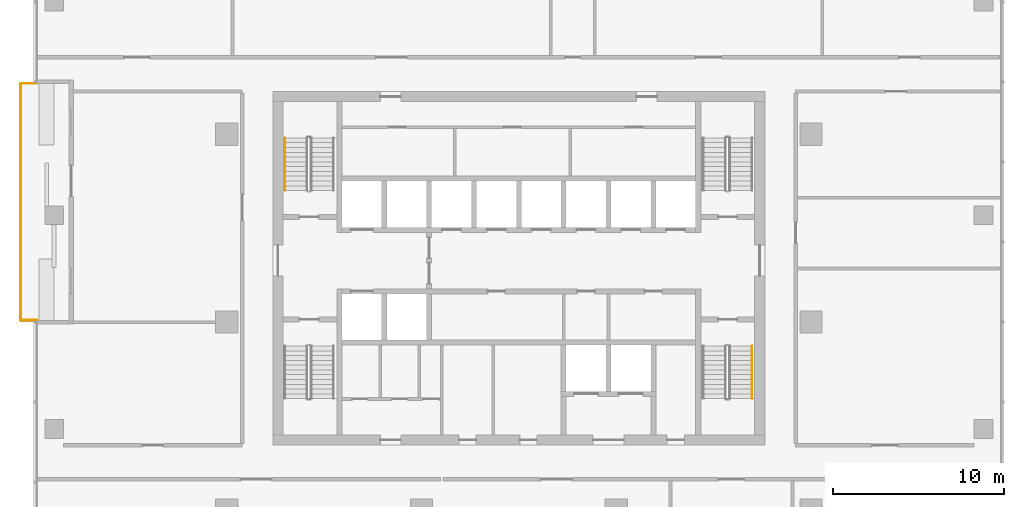
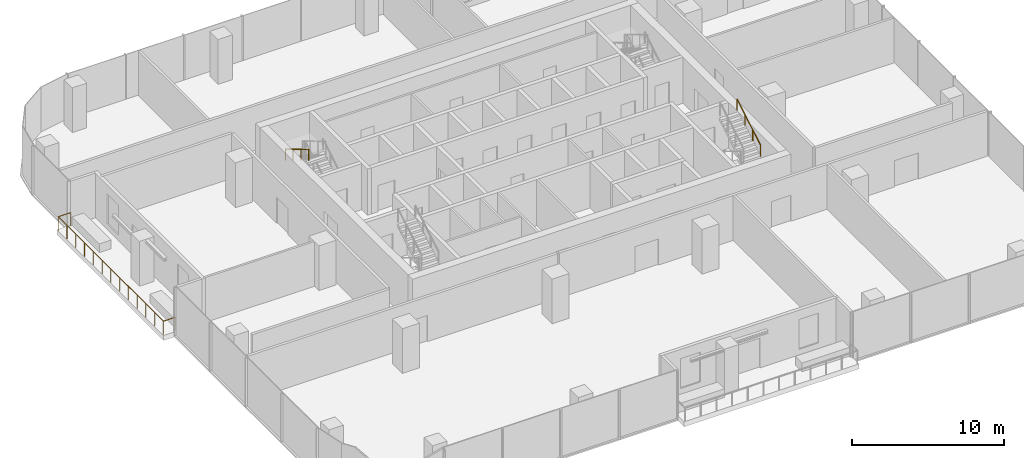
# One storey, part 12 of 14: 3 railings.
"""IFC4 building model written with IfcOpenShell, lengths in metres."""

from ifc_helpers import new_model, si_unit, direction, frame, origin, origin_2d, place, context, subcontext, project, spatial, circle, extrude, material, type_object, element, save


model = new_model("IFC4")

# Units and contexts
model_context = context("Model", 3, precision=1e-05, world=origin(), true_north=direction((0.0, 1.0)))
body_context = subcontext(model_context, "Body", "Model", "MODEL_VIEW")
ifc_project = project(units=[si_unit("LENGTHUNIT", "METRE"), si_unit("AREAUNIT", "SQUARE_METRE"), si_unit("VOLUMEUNIT", "CUBIC_METRE"), si_unit("PLANEANGLEUNIT", "RADIAN"), si_unit("MASSUNIT", "GRAM", prefix="KILO")], contexts=[model_context])

# Site, building, storey
site_placement = place(None, origin())
site = spatial("IfcSite", under=ifc_project, at=site_placement, CompositionType="ELEMENT")
building_placement = place(site_placement, origin())
building = spatial("IfcBuilding", under=site, at=building_placement, Name="Mopane Tessera Tower", CompositionType="ELEMENT")
storey_placement = place(building_placement, frame((0.0, 0.0, 251.0)))
storey = spatial("IfcBuildingStorey", under=building, at=storey_placement, Name="L54", CompositionType="ELEMENT", Elevation=251.0)

# Railings
ifc_material_1 = material(Name="Powder-coated steel balustrade", Category="steel")
railing_type_1 = type_object("IfcRailingType", Name="Escape stair handrail 900 mm", PredefinedType="HANDRAIL", material=ifc_material_1)
railing_1_placement = place(storey_placement, frame((-13.699951171875, 10.780029296875, 2.166748046875)))
element("IfcRailing", 1, at=railing_1_placement, inside=storey, type_object=railing_type_1, Name="L54 ST2 stair handrail 2", PredefinedType="HANDRAIL", context=body_context, shape_type="SweptSolid", body=[
    extrude(circle(Radius=0.02392578125, at=origin_2d()), frame((0.0, 0.0, 0.8759765625), z_axis=(0.0, -0.859308565015, 0.511457515432), x_axis=(1.0, 0.0, 0.0)), (0.0, 0.0, 1.0), 3.58447265625),
    extrude(circle(Radius=0.02099609375, at=origin_2d()), origin(), (0.0, 0.0, 1.0), 0.851806640625),
    extrude(circle(Radius=0.02099609375, at=origin_2d()), frame((0.0, -1.026611328125, 0.611083984375)), (0.0, 0.0, 1.0), 0.851806640625),
    extrude(circle(Radius=0.02099609375, at=origin_2d()), frame((0.0, -2.053466796875, 1.22216796875)), (0.0, 0.0, 1.0), 0.851806640625),
    extrude(circle(Radius=0.02099609375, at=origin_2d()), frame((0.0, -3.080078125, 1.833251953125)), (0.0, 0.0, 1.0), 0.851806640625),
])
railing_2_placement = place(storey_placement, frame((13.64990234375, -4.47998046875, 2.166748046875)))
element("IfcRailing", 2, at=railing_2_placement, inside=storey, type_object=railing_type_1, Name="L54 ST3 stair handrail 2", PredefinedType="HANDRAIL", context=body_context, shape_type="SweptSolid", body=[
    extrude(circle(Radius=0.02392578125, at=origin_2d()), frame((0.0, 0.0, 0.8759765625), z_axis=(0.0, 0.859308565015, 0.511457515432), x_axis=(-1.0, 0.0, 0.0)), (0.0, 0.0, 1.0), 3.58447265625),
    extrude(circle(Radius=0.02099609375, at=origin_2d()), origin(), (0.0, 0.0, 1.0), 0.851806640625),
    extrude(circle(Radius=0.02099609375, at=origin_2d()), frame((0.0, 1.026611328125, 0.611083984375)), (0.0, 0.0, 1.0), 0.851806640625),
    extrude(circle(Radius=0.02099609375, at=origin_2d()), frame((0.0, 2.053466796875, 1.22216796875)), (0.0, 0.0, 1.0), 0.851806640625),
    extrude(circle(Radius=0.02099609375, at=origin_2d()), frame((0.0, 3.080078125, 1.833251953125)), (0.0, 0.0, 1.0), 0.851806640625),
])
ifc_material_2 = material(Name="Stainless steel S316", Category="steel")
railing_type_2 = type_object("IfcRailingType", Name="Terrace guard 1100", PredefinedType="GUARDRAIL", material=ifc_material_2)
railing_3_placement = place(storey_placement, frame((-28.199951171875, 13.96240234375, 0.0)))
element("IfcRailing", 3, at=railing_3_placement, inside=storey, type_object=railing_type_2, Name="e:nw:L54:N3:guard", PredefinedType="GUARDRAIL", context=body_context, shape_type="SweptSolid", body=[
    extrude(circle(Radius=0.02392578125, at=origin_2d()), frame((0.0, 0.0, 1.076171875), z_axis=(-1.0, 0.0, 0.0), x_axis=(0.0, -1.0, 0.0)), (0.0, 0.0, 1.0), 0.949951171875),
    extrude(circle(Radius=0.02392578125, at=origin_2d()), frame((-0.949951171875, 0.0, 1.076171875), z_axis=(0.0, -1.0, 0.0), x_axis=(1.0, 0.0, 0.0)), (0.0, 0.0, 1.0), 13.8623046875),
    extrude(circle(Radius=0.02392578125, at=origin_2d()), frame((-0.949951171875, -13.8623046875, 1.076171875), z_axis=(1.0, 0.0, 0.0), x_axis=(0.0, 1.0, 0.0)), (0.0, 0.0, 1.0), 0.949951171875),
    extrude(circle(Radius=0.02099609375, at=origin_2d()), origin(), (0.0, 0.0, 1.0), 1.052001953125),
    extrude(circle(Radius=0.02099609375, at=origin_2d()), frame((-0.949951171875, 0.0, 0.0)), (0.0, 0.0, 1.0), 1.052001953125),
    extrude(circle(Radius=0.02099609375, at=origin_2d()), frame((-0.949951171875, -1.1552734375, 0.0)), (0.0, 0.0, 1.0), 1.052001953125),
    extrude(circle(Radius=0.02099609375, at=origin_2d()), frame((-0.949951171875, -2.310302734375, 0.0)), (0.0, 0.0, 1.0), 1.052001953125),
    extrude(circle(Radius=0.02099609375, at=origin_2d()), frame((-0.949951171875, -3.465576171875, 0.0)), (0.0, 0.0, 1.0), 1.052001953125),
    extrude(circle(Radius=0.02099609375, at=origin_2d()), frame((-0.949951171875, -4.620849609375, 0.0)), (0.0, 0.0, 1.0), 1.052001953125),
    extrude(circle(Radius=0.02099609375, at=origin_2d()), frame((-0.949951171875, -5.77587890625, 0.0)), (0.0, 0.0, 1.0), 1.052001953125),
    extrude(circle(Radius=0.02099609375, at=origin_2d()), frame((-0.949951171875, -6.93115234375, 0.0)), (0.0, 0.0, 1.0), 1.052001953125),
    extrude(circle(Radius=0.02099609375, at=origin_2d()), frame((-0.949951171875, -8.08642578125, 0.0)), (0.0, 0.0, 1.0), 1.052001953125),
    extrude(circle(Radius=0.02099609375, at=origin_2d()), frame((-0.949951171875, -9.241455078125, 0.0)), (0.0, 0.0, 1.0), 1.052001953125),
    extrude(circle(Radius=0.02099609375, at=origin_2d()), frame((-0.949951171875, -10.396728515625, 0.0)), (0.0, 0.0, 1.0), 1.052001953125),
    extrude(circle(Radius=0.02099609375, at=origin_2d()), frame((-0.949951171875, -11.552001953125, 0.0)), (0.0, 0.0, 1.0), 1.052001953125),
    extrude(circle(Radius=0.02099609375, at=origin_2d()), frame((-0.949951171875, -12.70703125, 0.0)), (0.0, 0.0, 1.0), 1.052001953125),
    extrude(circle(Radius=0.02099609375, at=origin_2d()), frame((-0.949951171875, -13.8623046875, 0.0)), (0.0, 0.0, 1.0), 1.052001953125),
    extrude(circle(Radius=0.02099609375, at=origin_2d()), frame((0.0, -13.8623046875, 0.0)), (0.0, 0.0, 1.0), 1.052001953125),
])

save(model, "model.ifc")
